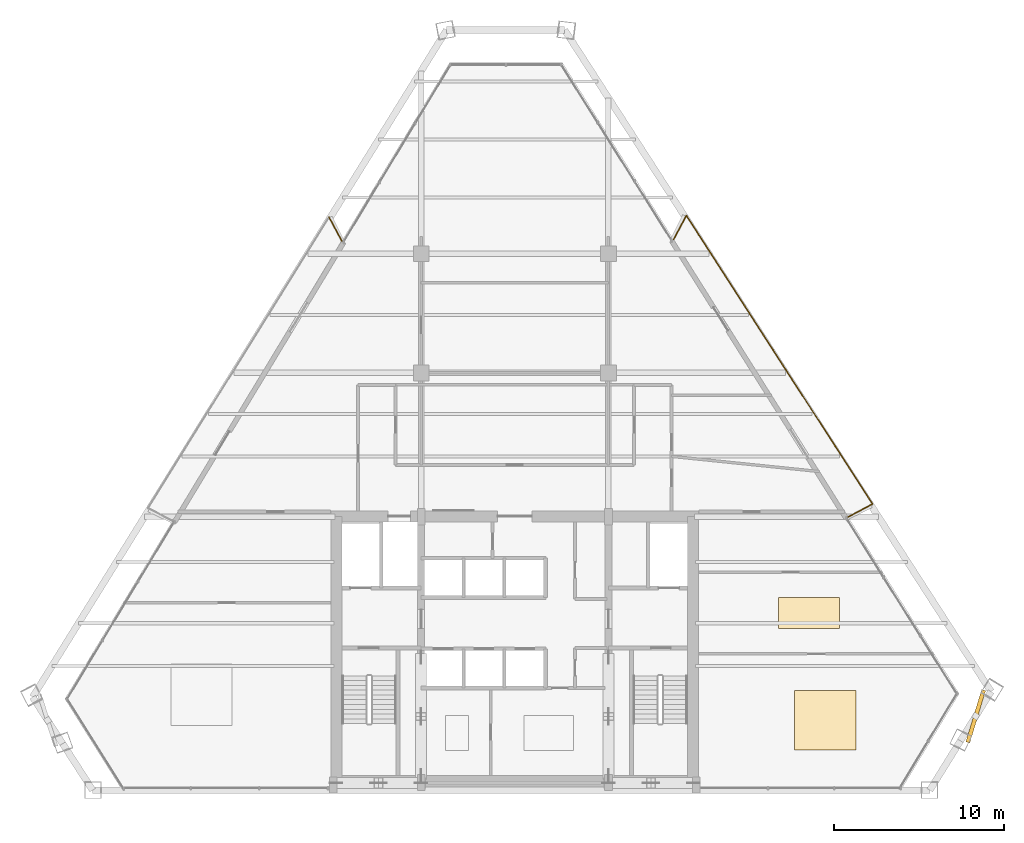
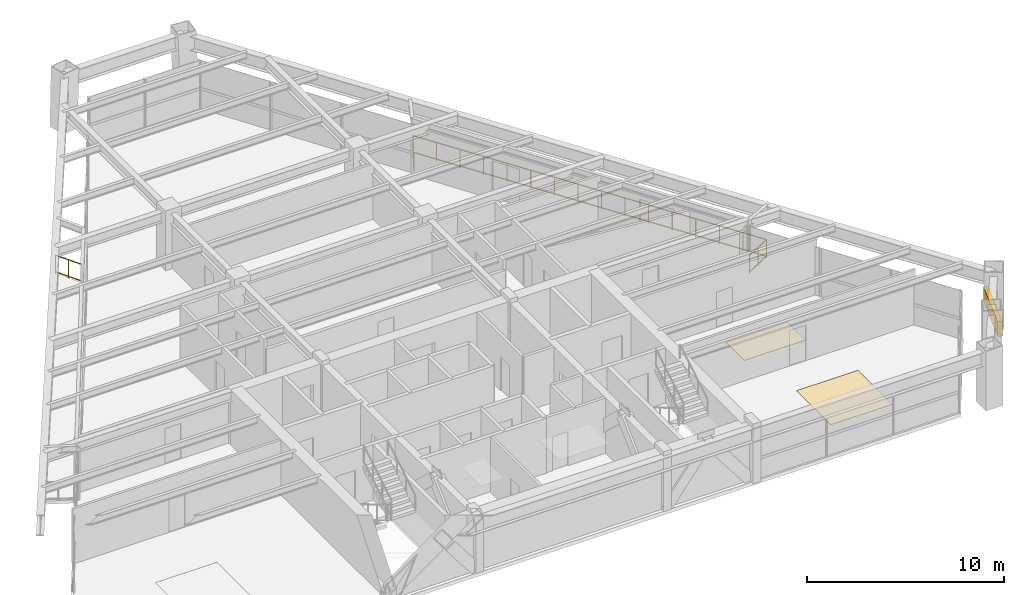
# One storey, part 12 of 12: 4 railings, 2 coverings, 1 shading device.
"""IFC4 building model written with IfcOpenShell, lengths in metres."""

from ifc_helpers import new_model, si_unit, direction, frame, origin, origin_2d, place, context, subcontext, project, spatial, rectangle, extrude, source, transform, mapped, material, layer, layer_set, type_object, type_shapes, element, save


model = new_model("IFC4")

# Units and contexts
model_context = context("Model", 3, precision=1e-05, world=origin(), true_north=direction((0.0, 1.0)))
body_context = subcontext(model_context, "Body", "Model", "MODEL_VIEW")
ifc_project = project(units=[si_unit("LENGTHUNIT", "METRE"), si_unit("AREAUNIT", "SQUARE_METRE"), si_unit("VOLUMEUNIT", "CUBIC_METRE"), si_unit("PLANEANGLEUNIT", "RADIAN"), si_unit("MASSUNIT", "GRAM", prefix="KILO")], contexts=[model_context])

# Site, building, storey
site_placement = place(None, origin())
site = spatial("IfcSite", under=ifc_project, at=site_placement, CompositionType="ELEMENT")
building_placement = place(site_placement, origin())
building = spatial("IfcBuilding", under=site, at=building_placement, Name="Varnakhor Terracotta Tower", CompositionType="ELEMENT")
storey_placement = place(building_placement, frame((0.0, 0.0, 211.699951171875)))
storey = spatial("IfcBuildingStorey", under=building, at=storey_placement, Name="L54", CompositionType="ELEMENT", Elevation=211.699951171875)

# Railings
ifc_material_1 = material(Name="Stainless Steel & Laminated Glass Guardrail", Category="steel")
railing_type = type_object("IfcRailingType", Name="RLG-LOGGIA-GUARD-1150", PredefinedType="GUARDRAIL", material=ifc_material_1)
railing_1_placement = place(storey_placement, frame((9.326904296875, 32.33935546875, 0.0)))
element("IfcRailing", 1, at=railing_1_placement, inside=storey, type_object=railing_type, Name="L54 E Loggia Glass Guard 1", PredefinedType="GUARDRAIL", context=body_context, shape_type="SweptSolid", body=[
    extrude(rectangle(XDim=0.048095703125, YDim=0.048095703125, at=origin_2d()), frame((0.0, 0.0, 1.1259765625), z_axis=(0.473805287653, 0.880629632361, 0.0), x_axis=(-0.880629632361, 0.473805287653, 0.0)), (0.0, 0.0, 1.0), 1.581787109375),
    extrude(rectangle(XDim=0.048095703125, YDim=0.048095703125, at=origin_2d()), frame((0.0, 0.0, 0.10009765625), z_axis=(0.473805287653, 0.880629632361, 0.0), x_axis=(-0.880629632361, 0.473805287653, 0.0)), (0.0, 0.0, 1.0), 1.581787109375),
    extrude(rectangle(XDim=0.0419921875, YDim=0.0419921875, at=origin_2d()), origin(), (0.0, 0.0, 1.0), 1.101806640625),
    extrude(rectangle(XDim=0.0419921875, YDim=0.0419921875, at=origin_2d()), frame((0.374755859375, 0.696533203125, 0.0)), (0.0, 0.0, 1.0), 1.101806640625),
    extrude(rectangle(XDim=0.0419921875, YDim=0.0419921875, at=origin_2d()), frame((0.74951171875, 1.39306640625, 0.0)), (0.0, 0.0, 1.0), 1.101806640625),
])
railing_2_placement = place(storey_placement, frame((10.076416015625, 33.732421875, 0.0)))
element("IfcRailing", 2, at=railing_2_placement, inside=storey, type_object=railing_type, Name="L54 E Loggia Glass Guard 2", PredefinedType="GUARDRAIL", context=body_context, shape_type="SweptSolid", body=[
    extrude(rectangle(XDim=0.048095703125, YDim=0.048095703125, at=origin_2d()), frame((0.0, 0.0, 1.1259765625), z_axis=(0.542403605229, -0.840118044702, 0.0), x_axis=(0.840118044702, 0.542403605229, 0.0)), (0.0, 0.0, 1.0), 20.15283203125),
    extrude(rectangle(XDim=0.048095703125, YDim=0.048095703125, at=origin_2d()), frame((0.0, 0.0, 0.10009765625), z_axis=(0.542403605229, -0.840118044702, 0.0), x_axis=(0.840118044702, 0.542403605229, 0.0)), (0.0, 0.0, 1.0), 20.15283203125),
    extrude(rectangle(XDim=0.0419921875, YDim=0.0419921875, at=origin_2d()), origin(), (0.0, 0.0, 1.0), 1.101806640625),
    extrude(rectangle(XDim=0.0419921875, YDim=0.0419921875, at=origin_2d()), frame((0.728759765625, -1.128662109375, 0.0)), (0.0, 0.0, 1.0), 1.101806640625),
    extrude(rectangle(XDim=0.0419921875, YDim=0.0419921875, at=origin_2d()), frame((1.45751953125, -2.25732421875, 0.0)), (0.0, 0.0, 1.0), 1.101806640625),
    extrude(rectangle(XDim=0.0419921875, YDim=0.0419921875, at=origin_2d()), frame((2.186279296875, -3.38623046875, 0.0)), (0.0, 0.0, 1.0), 1.101806640625),
    extrude(rectangle(XDim=0.0419921875, YDim=0.0419921875, at=origin_2d()), frame((2.914794921875, -4.514892578125, 0.0)), (0.0, 0.0, 1.0), 1.101806640625),
    extrude(rectangle(XDim=0.0419921875, YDim=0.0419921875, at=origin_2d()), frame((3.6435546875, -5.6435546875, 0.0)), (0.0, 0.0, 1.0), 1.101806640625),
    extrude(rectangle(XDim=0.0419921875, YDim=0.0419921875, at=origin_2d()), frame((4.372314453125, -6.772216796875, 0.0)), (0.0, 0.0, 1.0), 1.101806640625),
    extrude(rectangle(XDim=0.0419921875, YDim=0.0419921875, at=origin_2d()), frame((5.10107421875, -7.90087890625, 0.0)), (0.0, 0.0, 1.0), 1.101806640625),
    extrude(rectangle(XDim=0.0419921875, YDim=0.0419921875, at=origin_2d()), frame((5.829833984375, -9.02978515625, 0.0)), (0.0, 0.0, 1.0), 1.101806640625),
    extrude(rectangle(XDim=0.0419921875, YDim=0.0419921875, at=origin_2d()), frame((6.55859375, -10.158447265625, 0.0)), (0.0, 0.0, 1.0), 1.101806640625),
    extrude(rectangle(XDim=0.0419921875, YDim=0.0419921875, at=origin_2d()), frame((7.287353515625, -11.287109375, 0.0)), (0.0, 0.0, 1.0), 1.101806640625),
    extrude(rectangle(XDim=0.0419921875, YDim=0.0419921875, at=origin_2d()), frame((8.01611328125, -12.415771484375, 0.0)), (0.0, 0.0, 1.0), 1.101806640625),
    extrude(rectangle(XDim=0.0419921875, YDim=0.0419921875, at=origin_2d()), frame((8.74462890625, -13.54443359375, 0.0)), (0.0, 0.0, 1.0), 1.101806640625),
    extrude(rectangle(XDim=0.0419921875, YDim=0.0419921875, at=origin_2d()), frame((9.473388671875, -14.67333984375, 0.0)), (0.0, 0.0, 1.0), 1.101806640625),
    extrude(rectangle(XDim=0.0419921875, YDim=0.0419921875, at=origin_2d()), frame((10.2021484375, -15.802001953125, 0.0)), (0.0, 0.0, 1.0), 1.101806640625),
    extrude(rectangle(XDim=0.0419921875, YDim=0.0419921875, at=origin_2d()), frame((10.930908203125, -16.9306640625, 0.0)), (0.0, 0.0, 1.0), 1.101806640625),
])
railing_3_placement = place(storey_placement, frame((21.00732421875, 16.8017578125, 0.0)))
element("IfcRailing", 3, at=railing_3_placement, inside=storey, type_object=railing_type, Name="L54 E Loggia Glass Guard 3", PredefinedType="GUARDRAIL", context=body_context, shape_type="SweptSolid", body=[
    extrude(rectangle(XDim=0.048095703125, YDim=0.048095703125, at=origin_2d()), frame((0.0, 0.0, 1.1259765625), z_axis=(-0.88183560465, -0.471556959837, 0.0), x_axis=(0.471556959837, -0.88183560465, 0.0)), (0.0, 0.0, 1.0), 1.62158203125),
    extrude(rectangle(XDim=0.048095703125, YDim=0.048095703125, at=origin_2d()), frame((0.0, 0.0, 0.10009765625), z_axis=(-0.88183560465, -0.471556959837, 0.0), x_axis=(0.471556959837, -0.88183560465, 0.0)), (0.0, 0.0, 1.0), 1.62158203125),
    extrude(rectangle(XDim=0.0419921875, YDim=0.0419921875, at=origin_2d()), origin(), (0.0, 0.0, 1.0), 1.101806640625),
    extrude(rectangle(XDim=0.0419921875, YDim=0.0419921875, at=origin_2d()), frame((-0.71484375, -0.38232421875, 0.0)), (0.0, 0.0, 1.0), 1.101806640625),
    extrude(rectangle(XDim=0.0419921875, YDim=0.0419921875, at=origin_2d()), frame((-1.429931640625, -0.7646484375, 0.0)), (0.0, 0.0, 1.0), 1.101806640625),
])
railing_4_placement = place(storey_placement, frame((-10.908935546875, 33.642578125, 0.0)))
element("IfcRailing", 4, at=railing_4_placement, inside=storey, type_object=railing_type, Name="L54 W Loggia Glass Guard 3", PredefinedType="GUARDRAIL", context=body_context, shape_type="SweptSolid", body=[
    extrude(rectangle(XDim=0.048095703125, YDim=0.048095703125, at=origin_2d()), frame((0.0, 0.0, 1.1259765625), z_axis=(0.476337916032, -0.879262298606, 0.0), x_axis=(0.879262298606, 0.476337916032, 0.0)), (0.0, 0.0, 1.0), 1.57958984375),
    extrude(rectangle(XDim=0.048095703125, YDim=0.048095703125, at=origin_2d()), frame((0.0, 0.0, 0.10009765625), z_axis=(0.476337916032, -0.879262298606, 0.0), x_axis=(0.879262298606, 0.476337916032, 0.0)), (0.0, 0.0, 1.0), 1.57958984375),
    extrude(rectangle(XDim=0.0419921875, YDim=0.0419921875, at=origin_2d()), origin(), (0.0, 0.0, 1.0), 1.101806640625),
    extrude(rectangle(XDim=0.0419921875, YDim=0.0419921875, at=origin_2d()), frame((0.376220703125, -0.6943359375, 0.0)), (0.0, 0.0, 1.0), 1.101806640625),
    extrude(rectangle(XDim=0.0419921875, YDim=0.0419921875, at=origin_2d()), frame((0.75244140625, -1.388916015625, 0.0)), (0.0, 0.0, 1.0), 1.101806640625),
])

# Shading device
ifc_material_2 = material(Name="Extruded Architectural Terracotta Screen", Category="masonry")
shading_device_type = type_object("IfcShadingDeviceType", Name="TERRACOTTA SOLAR SCREEN E", PredefinedType="USERDEFINED", material=ifc_material_2)
shared_shape_1 = source(origin(), body_context, "Body", "SweptSolid", [
    extrude(rectangle(XDim=3.199951171875, YDim=0.239990234375, at=origin_2d()), origin(), (0.0, 0.0, 1.0), 0.919921875),
])
type_shapes(shading_device_type, [shared_shape_1])
shading_device_placement = place(storey_placement, frame((27.0673828125, 4.34326171875, 1.66015625), z_axis=(0.0, 0.0, 1.0), x_axis=(0.289399359928, 0.957208446721, 0.0)))
element("IfcShadingDevice", 5, at=shading_device_placement, inside=storey, type_object=shading_device_type, Name="L54 E Terracotta Solar Screen", ObjectType="SCREEN", PredefinedType="USERDEFINED", context=body_context, shape_type="MappedRepresentation", body=[
    mapped(shared_shape_1, transform((0.0, 0.0, 0.0), scale=1.0)),
])

# Coverings
ifc_material_3 = material(Name="Honed Riyadh Limestone Flooring", Category="masonry")
ifc_layer = layer(ifc_material_3, 0.030029296875, Name="Honed Riyadh Limestone Flooring")
ifc_layer_set = layer_set([ifc_layer], Name="Honed Riyadh Limestone Flooring")
covering_type = type_object("IfcCoveringType", Name="COV-FLOOR-LIMESTONE", PredefinedType="FLOORING", material=ifc_layer_set)
shared_shape_2 = source(origin(), body_context, "Body", "SweptSolid", [
    extrude(rectangle(XDim=3.60009765625, YDim=1.841064453125, at=origin_2d()), origin(), (0.0, 0.0, 1.0), 0.02001953125),
])
covering_1_placement = place(storey_placement, frame((17.27294921875, 10.39990234375, 0.0), z_axis=(0.0, 0.0, 1.0), x_axis=(1.0, 0.0, 0.0)))
element("IfcCovering", 6, at=covering_1_placement, inside=storey, type_object=covering_type, Name="L54 Honed Stone Flooring 5", PredefinedType="FLOORING", context=body_context, shape_type="MappedRepresentation", body=[
    mapped(shared_shape_2, transform((0.0, 0.0, 0.0), scale=1.0)),
])
shared_shape_3 = source(origin(), body_context, "Body", "SweptSolid", [
    extrude(rectangle(XDim=3.60009765625, YDim=3.489013671875, at=origin_2d()), origin(), (0.0, 0.0, 1.0), 0.02001953125),
])
covering_2_placement = place(storey_placement, frame((18.239013671875, 4.10205078125, 0.0), z_axis=(0.0, 0.0, 1.0), x_axis=(1.0, 0.0, 0.0)))
element("IfcCovering", 7, at=covering_2_placement, inside=storey, type_object=covering_type, Name="L54 Honed Stone Flooring 3", PredefinedType="FLOORING", context=body_context, shape_type="MappedRepresentation", body=[
    mapped(shared_shape_3, transform((0.0, 0.0, 0.0), scale=1.0)),
])

save(model, "model.ifc")
